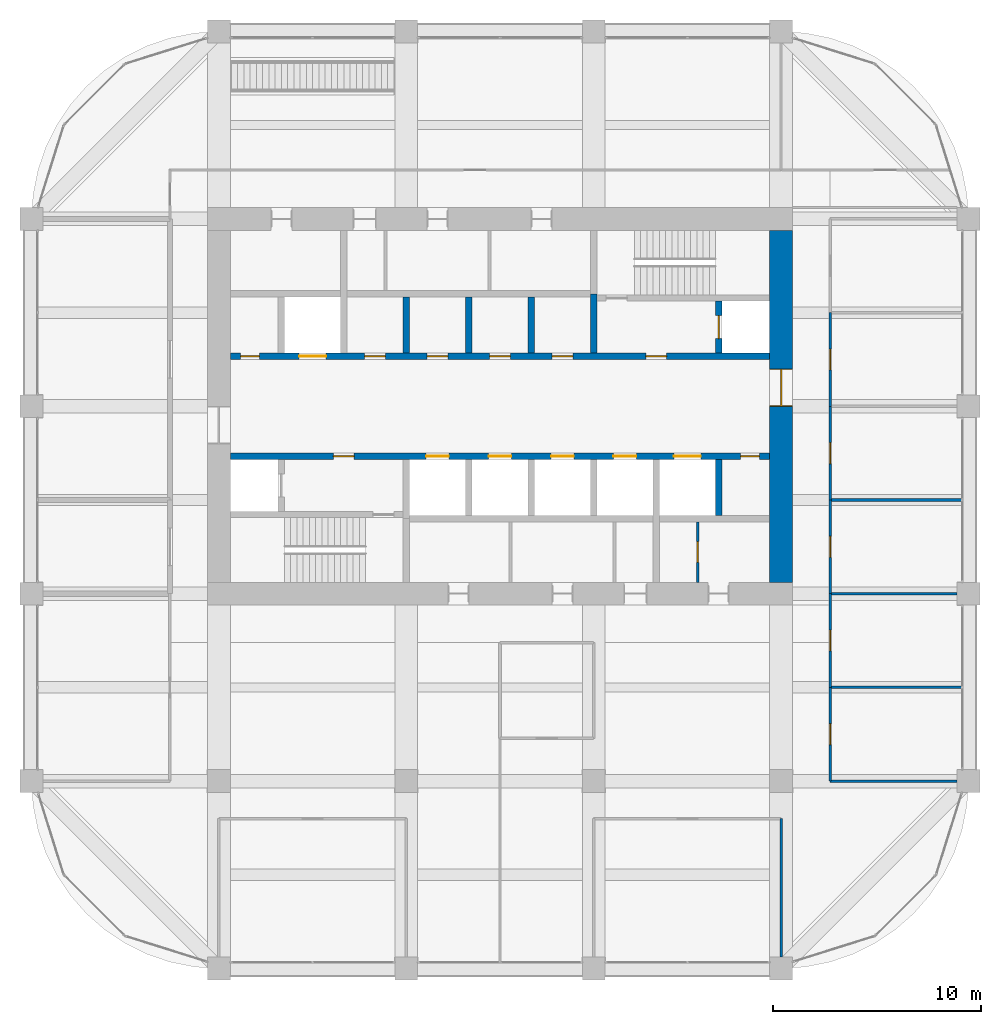
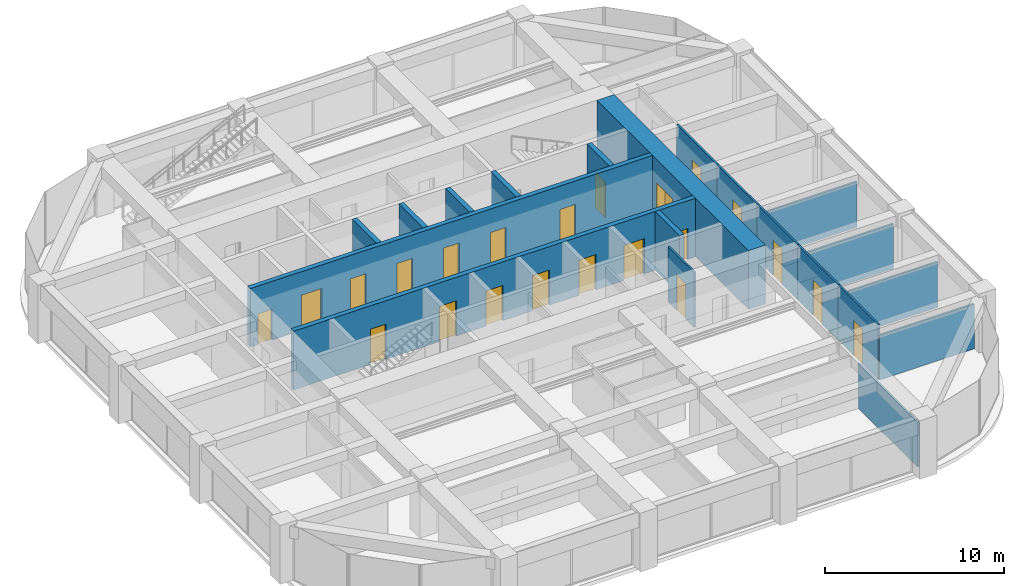
# One storey, part 42 of 44: 22 doors, 20 walls, 22 openings.
"""IFC4 building model written with IfcOpenShell, lengths in metres."""

import ifcopenshell
import ifcopenshell.guid

model = None  # the IFC model being written
_history = None  # IfcOwnerHistory: only IFC2X3 demands one
_inside = {}  # id of a spatial element -> (the spatial element, [elements in it])
_under = {}  # id of a project, library or spatial element -> (it, [spatial elements below it])
_declared = {}  # id of a project -> (the project, [libraries it declares])
_typed = {}  # id of a type object -> (the type object, [elements of that type])
_made_of = {}  # id of a material, layer set ... -> (it, [elements and type objects made of it])


def new_model(schema):
    """Start an empty IFC model of exactly this schema.

    Asked for "IFC4X3", IfcOpenShell would pick the latest addendum, in which some entities
    have other attributes; the version numbers below select the first issue.
    IFC2X3 requires an IfcOwnerHistory on every rooted entity: one is made here for all.
    """
    global model, _history
    if schema == "IFC4X3":
        model = ifcopenshell.file(schema_version=(4, 3, 0, 0))
    else:
        model = ifcopenshell.file(schema=schema)
    _inside.clear()
    _under.clear()
    _declared.clear()
    _typed.clear()
    _made_of.clear()
    _history = None
    if model.schema == "IFC2X3":
        org = make("IfcOrganization", Name="unknown")
        user = make(
            "IfcPersonAndOrganization",
            ThePerson=make("IfcPerson", FamilyName="unknown"),
            TheOrganization=org,
        )
        app = make(
            "IfcApplication",
            ApplicationDeveloper=org,
            Version="unknown",
            ApplicationFullName="unknown",
            ApplicationIdentifier="unknown",
        )
        _history = make(
            "IfcOwnerHistory",
            OwningUser=user,
            OwningApplication=app,
            ChangeAction="ADDED",
            CreationDate=0,
        )
    return model


def make(cls, **values):
    """One entity of the class cls with the attributes given. An attribute that is None is left unset."""
    return model.create_entity(
        cls, **{name: value for name, value in values.items() if value is not None}
    )


def rooted(cls, **values):
    """An entity with a GlobalId (a new one), such as an element, a storey or a relation."""
    return make(cls, GlobalId=ifcopenshell.guid.new(), OwnerHistory=_history, **values)


def si_unit(unit_type, name, prefix=None):
    """IfcSIUnit, for example si_unit("LENGTHUNIT", "METRE", prefix="MILLI")."""
    return make("IfcSIUnit", UnitType=unit_type, Prefix=prefix, Name=name)


def assignment(units):
    """IfcUnitAssignment: the units of a project."""
    return None if units is None else make("IfcUnitAssignment", Units=units)


def point(xyz):
    """IfcCartesianPoint."""
    return None if xyz is None else make("IfcCartesianPoint", Coordinates=xyz)


def direction(xyz):
    """IfcDirection."""
    return None if xyz is None else make("IfcDirection", DirectionRatios=xyz)


def frame(location, z_axis=None, x_axis=None):
    """IfcAxis2Placement3D, a coordinate frame: its origin and axes. An axis left out is left unset."""
    return make(
        "IfcAxis2Placement3D",
        Location=point(location),
        Axis=direction(z_axis),
        RefDirection=direction(x_axis),
    )


def frame_2d(location, x_axis=None):
    """IfcAxis2Placement2D, a coordinate frame in the plane: its origin and x axis."""
    return make(
        "IfcAxis2Placement2D", Location=point(location), RefDirection=direction(x_axis)
    )


def origin():
    """The frame at (0, 0, 0) with its axes left unset."""
    return frame((0.0, 0.0, 0.0))


def place(relative_to, where):
    """IfcLocalPlacement: puts the frame where relative to a parent placement (None: the world)."""
    return make(
        "IfcLocalPlacement", PlacementRelTo=relative_to, RelativePlacement=where
    )


def context(
    kind, dimensions, precision=None, world=None, true_north=None, identifier=None
):
    """IfcGeometricRepresentationContext, for example the 3D "Model" context."""
    return make(
        "IfcGeometricRepresentationContext",
        ContextIdentifier=identifier,
        ContextType=kind,
        CoordinateSpaceDimension=dimensions,
        Precision=precision,
        WorldCoordinateSystem=world,
        TrueNorth=true_north,
    )


def subcontext(parent, identifier, kind, view, scale=None):
    """IfcGeometricRepresentationSubContext, for example "Body" below "Model"."""
    return make(
        "IfcGeometricRepresentationSubContext",
        ContextIdentifier=identifier,
        ContextType=kind,
        ParentContext=parent,
        TargetScale=scale,
        TargetView=view,
    )


def project(units=None, contexts=None):
    """IfcProject with its units and contexts."""
    return rooted(
        "IfcProject",
        Name="project",
        RepresentationContexts=contexts,
        UnitsInContext=assignment(units),
    )


def spatial(cls, under=None, at=None, **own):
    """A site, building, storey or space (cls), placed at a placement, below another one or the project."""
    s = rooted(cls, ObjectPlacement=at, **own)
    if under is not None:
        _under.setdefault(under.id(), (under, []))[1].append(s)
    return s


def profile(cls, at=None, kind="AREA", **sizes):
    """A parametric profile (cls). Its sizes go by their IFC names, for example OverallWidth=200.0."""
    return make(cls, ProfileType=kind, Position=at, **sizes)


def rectangle(**sizes):
    """IfcRectangleProfileDef."""
    return profile("IfcRectangleProfileDef", **sizes)


def extrude(swept, where, along, depth):
    """IfcExtrudedAreaSolid: the profile swept, set in the frame where, extruded along a direction by depth."""
    return make(
        "IfcExtrudedAreaSolid",
        SweptArea=swept,
        Position=where,
        ExtrudedDirection=direction(along),
        Depth=depth,
    )


def shape(context_of_items, identifier, shape_type, items):
    """IfcShapeRepresentation: the items that make up one representation, for example the "Body"."""
    return make(
        "IfcShapeRepresentation",
        ContextOfItems=context_of_items,
        RepresentationIdentifier=identifier,
        RepresentationType=shape_type,
        Items=items,
    )


def material(Name=None, Category=None):
    """IfcMaterial."""
    return make("IfcMaterial", Name=Name, Category=Category)


def layer(
    of_material, thickness, ventilated=None, Name=None, Category=None, Priority=None
):
    """IfcMaterialLayer: one layer of a wall or slab, of a material (None: an air gap)."""
    return make(
        "IfcMaterialLayer",
        Material=of_material,
        LayerThickness=thickness,
        IsVentilated=ventilated,
        Name=Name,
        Category=Category,
        Priority=Priority,
    )


def layer_set(layers, Name=None):
    """IfcMaterialLayerSet."""
    return make("IfcMaterialLayerSet", MaterialLayers=layers, LayerSetName=Name)


def made_of(thing, what):
    """Note that an element or type object is made of a material, layer set ...; save() writes the relation."""
    if what is not None:
        _made_of.setdefault(what.id(), (what, []))[1].append(thing)
    return thing


def type_object(cls, material=None, **own):
    """A type object (cls), such as IfcWallType, which elements share."""
    return made_of(rooted(cls, **own), material)


def element(
    cls,
    number,
    at=None,
    inside=None,
    cuts=None,
    type_object=None,
    material=None,
    context=None,
    identifier="Body",
    shape_type=None,
    held_by="IfcProductDefinitionShape",
    body=None,
    shapes=None,
    **own,
):
    """One element of the class cls, such as IfcWall. Its Tag is "e" and its number.

    at: its placement. inside: the storey or other place that contains it. cuts: it is an
    opening in that element (IfcRelVoidsElement). A single representation is given by context,
    identifier, shape_type and body (its items); several are given by shapes. held_by: the class
    of the entity that holds the representations. save() writes the other relations.
    """
    e = rooted(cls, Tag="e%d" % number, ObjectPlacement=at, **own)
    if body is not None:
        shapes = [shape(context, identifier, shape_type, body)]
    if shapes is not None:
        e.Representation = make(held_by, Representations=shapes)
    if inside is not None:
        _inside.setdefault(inside.id(), (inside, []))[1].append(e)
    if cuts is not None:
        rooted(
            "IfcRelVoidsElement", RelatingBuildingElement=cuts, RelatedOpeningElement=e
        )
    if type_object is not None:
        _typed.setdefault(type_object.id(), (type_object, []))[1].append(e)
    return made_of(e, material)


def fill(opening, filler):
    """IfcRelFillsElement: the door or window that sits in an opening."""
    return rooted(
        "IfcRelFillsElement",
        RelatingOpeningElement=opening,
        RelatedBuildingElement=filler,
    )


def aggregate(whole, parts):
    """IfcRelAggregates: a whole, such as a stair, and the parts it consists of."""
    return rooted("IfcRelAggregates", RelatingObject=whole, RelatedObjects=parts)


def save(model, path):
    """Write the relations noted so far, then the file.

    IfcRelAggregates (storeys below a building ...), IfcRelContainedInSpatialStructure (elements
    in a storey), IfcRelDefinesByType, IfcRelAssociatesMaterial and IfcRelDeclares: one each for
    every whole, place, type object, material and project.
    """
    for whole, parts in _under.values():
        aggregate(whole, parts)
    for where, things in _inside.values():
        rooted(
            "IfcRelContainedInSpatialStructure",
            RelatedElements=things,
            RelatingStructure=where,
        )
    for kind, things in _typed.values():
        rooted("IfcRelDefinesByType", RelatedObjects=things, RelatingType=kind)
    for what, things in _made_of.values():
        rooted("IfcRelAssociatesMaterial", RelatedObjects=things, RelatingMaterial=what)
    for by, libraries in _declared.values():
        rooted("IfcRelDeclares", RelatingContext=by, RelatedDefinitions=libraries)
    model.write(path)


model = new_model("IFC4")

# Units and contexts
model_context = context("Model", 3, precision=1e-05, world=origin(), true_north=direction((0.0, 1.0)))
body_context = subcontext(model_context, "Body", "Model", "MODEL_VIEW")
ifc_project = project(units=[si_unit("LENGTHUNIT", "METRE"), si_unit("AREAUNIT", "SQUARE_METRE"), si_unit("VOLUMEUNIT", "CUBIC_METRE"), si_unit("PLANEANGLEUNIT", "RADIAN"), si_unit("MASSUNIT", "GRAM", prefix="KILO")], contexts=[model_context])

# Site, building, storey
site_placement = place(None, origin())
site = spatial("IfcSite", under=ifc_project, at=site_placement, CompositionType="ELEMENT")
building_placement = place(site_placement, origin())
building = spatial("IfcBuilding", under=site, at=building_placement, Name="Zorevar Civic Tower", CompositionType="ELEMENT")
storey_placement = place(building_placement, frame((0.0, 0.0, 271.39990234375)))
storey = spatial("IfcBuildingStorey", under=building, at=storey_placement, Name="L66", CompositionType="ELEMENT", Elevation=271.39990234375)

# Wall, opening, door
ifc_material_1 = material(Name="Concrete C50/60", Category="concrete")
ifc_layer_1 = layer(ifc_material_1, 1.10009765625)
ifc_layer_set_1 = layer_set([ifc_layer_1], Name="Core wall 1100")
wall_type_1 = type_object("IfcWallType", Name="Core wall 1100", PredefinedType="SHEAR", material=ifc_layer_set_1)
wall_1_placement = place(storey_placement, frame((45.0, 18.550048828125, 0.0), z_axis=(0.0, 0.0, 1.0), x_axis=(0.0, 1.0, 0.0)))
wall_1 = element("IfcWall", 1, at=wall_1_placement, inside=storey, type_object=wall_type_1, Name="Core wall E L66", PredefinedType="SHEAR", context=body_context, shape_type="SweptSolid", body=[
    extrude(rectangle(XDim=16.89990234375, YDim=1.10009765625, at=frame_2d((8.449951171875, 0.0))), origin(), (0.0, 0.0, 1.0), 4.0),
])
opening_1_placement = place(wall_1_placement, frame((8.449951171875, 0.0, 0.0)))
opening_1 = element("IfcOpeningElement", 2, at=opening_1_placement, cuts=wall_1, Name="Opening L66.02", PredefinedType="OPENING", context=body_context, shape_type="SweptSolid", body=[
    extrude(rectangle(XDim=1.800048828125, YDim=2.39990234375, at=frame_2d((0.89990234375, 1.199951171875))), frame((0.0, 0.56005859375, 0.0), z_axis=(0.0, -1.0, 0.0), x_axis=(1.0, 0.0, 0.0)), (0.0, 0.0, 1.0), 1.1201171875),
])
ifc_material_2 = material(Name="Steel door set", Category="steel")
door_type_1 = type_object("IfcDoorType", Name="Fire door FD2 1800x2400", OperationType="DOUBLE_DOOR_DOUBLE_SWING", PredefinedType="DOOR", material=ifc_material_2)
door_1_placement = place(opening_1_placement, origin())
door_1 = element("IfcDoor", 3, at=door_1_placement, inside=storey, type_object=door_type_1, Name="Door L66 01", OperationType="DOUBLE_DOOR_DOUBLE_SWING", OverallHeight=2.39990234375, OverallWidth=1.800048828125, PredefinedType="DOOR", context=body_context, shape_type="SweptSolid", body=[
    extrude(rectangle(XDim=1.800048828125, YDim=2.39990234375, at=frame_2d((0.89990234375, 1.199951171875))), frame((0.0, 0.030029296875, 0.0), z_axis=(0.0, -1.0, 0.0), x_axis=(1.0, 0.0, 0.0)), (0.0, 0.0, 1.0), 0.06005859375),
    extrude(rectangle(XDim=0.04, YDim=2.39990234375, at=frame_2d((0.02001953125, 1.199951171875))), frame((0.0, 0.5498046875, 0.0), z_axis=(0.0, -1.0, 0.0), x_axis=(1.0, 0.0, 0.0)), (0.0, 0.0, 1.0), 1.099609375),
    extrude(rectangle(XDim=0.04, YDim=2.39990234375, at=frame_2d((1.780029296875, 1.199951171875))), frame((0.0, 0.5498046875, 0.0), z_axis=(0.0, -1.0, 0.0), x_axis=(1.0, 0.0, 0.0)), (0.0, 0.0, 1.0), 1.099609375),
    extrude(rectangle(XDim=1.800048828125, YDim=0.04, at=frame_2d((0.89990234375, 2.3798828125))), frame((0.0, 0.5498046875, 0.0), z_axis=(0.0, -1.0, 0.0), x_axis=(1.0, 0.0, 0.0)), (0.0, 0.0, 1.0), 1.099609375),
])
fill(opening_1, door_1)

ifc_material_3 = material(Name="Concrete C40/50", Category="concrete")
ifc_layer_2 = layer(ifc_material_3, 0.300048828125)
ifc_layer_set_2 = layer_set([ifc_layer_2], Name="Inner core wall 300")
wall_type_2 = type_object("IfcWallType", Name="Inner core wall 300", PredefinedType="SHEAR", material=ifc_layer_set_2)
wall_2_placement = place(storey_placement, frame((42.0, 29.550048828125, 0.0), z_axis=(0.0, 0.0, 1.0), x_axis=(0.0, 1.0, 0.0)))
wall_2 = element("IfcWall", 4, at=wall_2_placement, inside=storey, type_object=wall_type_2, Name="Inner core wall N02 L66", PredefinedType="SHEAR", context=body_context, shape_type="SweptSolid", body=[
    extrude(rectangle(XDim=2.5, YDim=0.300048828125, at=frame_2d((1.25, 0.0))), origin(), (0.0, 0.0, 1.0), 4.0),
])
opening_2_placement = place(wall_2_placement, frame((0.699951171875, 0.0, 0.0)))
opening_2 = element("IfcOpeningElement", 5, at=opening_2_placement, cuts=wall_2, Name="Opening L66.FL2", PredefinedType="OPENING", context=body_context, shape_type="SweptSolid", body=[
    extrude(rectangle(XDim=1.10009765625, YDim=2.39990234375, at=frame_2d((0.550048828125, 1.199951171875))), frame((0.0, 0.159912109375, 0.0), z_axis=(0.0, -1.0, 0.0), x_axis=(1.0, 0.0, 0.0)), (0.0, 0.0, 1.0), 0.320068359375),
])
ifc_material_4 = material(Name="Steel door set", Category="steel")
door_type_2 = type_object("IfcDoorType", Name="Firefighting lift landing door LD3 1100x2400", OperationType="DOUBLE_DOOR_SLIDING", PredefinedType="DOOR", material=ifc_material_4)
door_2_placement = place(opening_2_placement, origin())
door_2 = element("IfcDoor", 6, at=door_2_placement, inside=storey, type_object=door_type_2, Name="Landing door FL2 L66", OperationType="DOUBLE_DOOR_SLIDING", OverallHeight=2.39990234375, OverallWidth=1.10009765625, PredefinedType="DOOR", context=body_context, shape_type="SweptSolid", body=[
    extrude(rectangle(XDim=1.10009765625, YDim=2.39990234375, at=frame_2d((0.550048828125, 1.199951171875))), frame((0.0, 0.030029296875, 0.0), z_axis=(0.0, -1.0, 0.0), x_axis=(1.0, 0.0, 0.0)), (0.0, 0.0, 1.0), 0.06005859375),
])
fill(opening_2, door_2)

# Wall, openings, doors
wall_3_placement = place(storey_placement, frame((18.550048828125, 24.60009765625, 0.0), z_axis=(0.0, 0.0, 1.0), x_axis=(1.0, 0.0, 0.0)))
wall_3 = element("IfcWall", 7, at=wall_3_placement, inside=storey, type_object=wall_type_2, Name="Inner core wall S03 L66", PredefinedType="SHEAR", context=body_context, shape_type="SweptSolid", body=[
    extrude(rectangle(XDim=25.89990234375, YDim=0.300048828125, at=frame_2d((12.949951171875, 0.0))), origin(), (0.0, 0.0, 1.0), 4.0),
])
opening_3_placement = place(wall_3_placement, frame((4.949951171875, 0.0, 0.0)))
opening_3 = element("IfcOpeningElement", 8, at=opening_3_placement, cuts=wall_3, Name="Opening L66.13", PredefinedType="OPENING", context=body_context, shape_type="SweptSolid", body=[
    extrude(rectangle(XDim=1.0, YDim=2.39990234375, at=frame_2d((0.5, 1.199951171875))), frame((0.0, 0.159912109375, 0.0), z_axis=(0.0, -1.0, 0.0), x_axis=(1.0, 0.0, 0.0)), (0.0, 0.0, 1.0), 0.320068359375),
])
opening_4_placement = place(wall_3_placement, frame((24.5, 0.0, 0.0)))
opening_4 = element("IfcOpeningElement", 9, at=opening_4_placement, cuts=wall_3, Name="Opening L66.15", PredefinedType="OPENING", context=body_context, shape_type="SweptSolid", body=[
    extrude(rectangle(XDim=0.89990234375, YDim=2.10009765625, at=frame_2d((0.449951171875, 1.050048828125))), frame((0.0, 0.159912109375, 0.0), z_axis=(0.0, -1.0, 0.0), x_axis=(1.0, 0.0, 0.0)), (0.0, 0.0, 1.0), 0.320068359375),
])
opening_5_placement = place(wall_3_placement, frame((9.39990234375, 0.0, 0.0)))
opening_5 = element("IfcOpeningElement", 10, at=opening_5_placement, cuts=wall_3, Name="Opening L66.LT1", PredefinedType="OPENING", context=body_context, shape_type="SweptSolid", body=[
    extrude(rectangle(XDim=1.10009765625, YDim=2.39990234375, at=frame_2d((0.550048828125, 1.199951171875))), frame((0.0, 0.159912109375, 0.0), z_axis=(0.0, -1.0, 0.0), x_axis=(1.0, 0.0, 0.0)), (0.0, 0.0, 1.0), 0.320068359375),
])
opening_6_placement = place(wall_3_placement, frame((12.39990234375, 0.0, 0.0)))
opening_6 = element("IfcOpeningElement", 11, at=opening_6_placement, cuts=wall_3, Name="Opening L66.LT2", PredefinedType="OPENING", context=body_context, shape_type="SweptSolid", body=[
    extrude(rectangle(XDim=1.10009765625, YDim=2.39990234375, at=frame_2d((0.550048828125, 1.199951171875))), frame((0.0, 0.159912109375, 0.0), z_axis=(0.0, -1.0, 0.0), x_axis=(1.0, 0.0, 0.0)), (0.0, 0.0, 1.0), 0.320068359375),
])
opening_7_placement = place(wall_3_placement, frame((15.39990234375, 0.0, 0.0)))
opening_7 = element("IfcOpeningElement", 12, at=opening_7_placement, cuts=wall_3, Name="Opening L66.LT3", PredefinedType="OPENING", context=body_context, shape_type="SweptSolid", body=[
    extrude(rectangle(XDim=1.10009765625, YDim=2.39990234375, at=frame_2d((0.550048828125, 1.199951171875))), frame((0.0, 0.159912109375, 0.0), z_axis=(0.0, -1.0, 0.0), x_axis=(1.0, 0.0, 0.0)), (0.0, 0.0, 1.0), 0.320068359375),
])
opening_8_placement = place(wall_3_placement, frame((18.39990234375, 0.0, 0.0)))
opening_8 = element("IfcOpeningElement", 13, at=opening_8_placement, cuts=wall_3, Name="Opening L66.LT4", PredefinedType="OPENING", context=body_context, shape_type="SweptSolid", body=[
    extrude(rectangle(XDim=1.10009765625, YDim=2.39990234375, at=frame_2d((0.550048828125, 1.199951171875))), frame((0.0, 0.159912109375, 0.0), z_axis=(0.0, -1.0, 0.0), x_axis=(1.0, 0.0, 0.0)), (0.0, 0.0, 1.0), 0.320068359375),
])
opening_9_placement = place(wall_3_placement, frame((21.300048828125, 0.0, 0.0)))
opening_9 = element("IfcOpeningElement", 14, at=opening_9_placement, cuts=wall_3, Name="Opening L66.SL1", PredefinedType="OPENING", context=body_context, shape_type="SweptSolid", body=[
    extrude(rectangle(XDim=1.300048828125, YDim=2.39990234375, at=frame_2d((0.64990234375, 1.199951171875))), frame((0.0, 0.159912109375, 0.0), z_axis=(0.0, -1.0, 0.0), x_axis=(1.0, 0.0, 0.0)), (0.0, 0.0, 1.0), 0.320068359375),
])
ifc_material_5 = material(Name="Steel door set", Category="steel")
door_type_3 = type_object("IfcDoorType", Name="Fire door FD1 1000x2400", OperationType="SINGLE_SWING_LEFT", PredefinedType="DOOR", material=ifc_material_5)
door_3_placement = place(opening_3_placement, origin())
door_3 = element("IfcDoor", 15, at=door_3_placement, inside=storey, type_object=door_type_3, Name="Door L66 12", OperationType="SINGLE_SWING_RIGHT", OverallHeight=2.39990234375, OverallWidth=1.0, PredefinedType="DOOR", context=body_context, shape_type="SweptSolid", body=[
    extrude(rectangle(XDim=1.0, YDim=2.39990234375, at=frame_2d((0.5, 1.199951171875))), frame((0.0, 0.030029296875, 0.0), z_axis=(0.0, -1.0, 0.0), x_axis=(1.0, 0.0, 0.0)), (0.0, 0.0, 1.0), 0.06005859375),
])
fill(opening_3, door_3)
ifc_material_6 = material(Name="Steel door set", Category="steel")
door_type_4 = type_object("IfcDoorType", Name="Landing door LD1 1100x2400", OperationType="DOUBLE_DOOR_SLIDING", PredefinedType="DOOR", material=ifc_material_6)
door_4_placement = place(opening_5_placement, origin())
door_4 = element("IfcDoor", 16, at=door_4_placement, inside=storey, type_object=door_type_4, Name="Landing door LT1 L66", OperationType="DOUBLE_DOOR_SLIDING", OverallHeight=2.39990234375, OverallWidth=1.10009765625, PredefinedType="DOOR", context=body_context, shape_type="SweptSolid", body=[
    extrude(rectangle(XDim=1.10009765625, YDim=2.39990234375, at=frame_2d((0.550048828125, 1.199951171875))), frame((0.0, 0.02001953125, 0.0), z_axis=(0.0, -1.0, 0.0), x_axis=(1.0, 0.0, 0.0)), (0.0, 0.0, 1.0), 0.0400390625),
])
fill(opening_5, door_4)
door_5_placement = place(opening_6_placement, origin())
door_5 = element("IfcDoor", 17, at=door_5_placement, inside=storey, type_object=door_type_4, Name="Landing door LT2 L66", OperationType="DOUBLE_DOOR_SLIDING", OverallHeight=2.39990234375, OverallWidth=1.10009765625, PredefinedType="DOOR", context=body_context, shape_type="SweptSolid", body=[
    extrude(rectangle(XDim=1.10009765625, YDim=2.39990234375, at=frame_2d((0.550048828125, 1.199951171875))), frame((0.0, 0.02001953125, 0.0), z_axis=(0.0, -1.0, 0.0), x_axis=(1.0, 0.0, 0.0)), (0.0, 0.0, 1.0), 0.0400390625),
])
fill(opening_6, door_5)
door_6_placement = place(opening_7_placement, origin())
door_6 = element("IfcDoor", 18, at=door_6_placement, inside=storey, type_object=door_type_4, Name="Landing door LT3 L66", OperationType="DOUBLE_DOOR_SLIDING", OverallHeight=2.39990234375, OverallWidth=1.10009765625, PredefinedType="DOOR", context=body_context, shape_type="SweptSolid", body=[
    extrude(rectangle(XDim=1.10009765625, YDim=2.39990234375, at=frame_2d((0.550048828125, 1.199951171875))), frame((0.0, 0.02001953125, 0.0), z_axis=(0.0, -1.0, 0.0), x_axis=(1.0, 0.0, 0.0)), (0.0, 0.0, 1.0), 0.0400390625),
])
fill(opening_7, door_6)
door_7_placement = place(opening_8_placement, origin())
door_7 = element("IfcDoor", 19, at=door_7_placement, inside=storey, type_object=door_type_4, Name="Landing door LT4 L66", OperationType="DOUBLE_DOOR_SLIDING", OverallHeight=2.39990234375, OverallWidth=1.10009765625, PredefinedType="DOOR", context=body_context, shape_type="SweptSolid", body=[
    extrude(rectangle(XDim=1.10009765625, YDim=2.39990234375, at=frame_2d((0.550048828125, 1.199951171875))), frame((0.0, 0.02001953125, 0.0), z_axis=(0.0, -1.0, 0.0), x_axis=(1.0, 0.0, 0.0)), (0.0, 0.0, 1.0), 0.0400390625),
])
fill(opening_8, door_7)
ifc_material_7 = material(Name="Steel door set", Category="steel")
door_type_5 = type_object("IfcDoorType", Name="Landing door LD2 1300x2400", OperationType="DOUBLE_DOOR_SLIDING", PredefinedType="DOOR", material=ifc_material_7)
door_8_placement = place(opening_9_placement, origin())
door_8 = element("IfcDoor", 20, at=door_8_placement, inside=storey, type_object=door_type_5, Name="Landing door SL1 L66", OperationType="DOUBLE_DOOR_SLIDING", OverallHeight=2.39990234375, OverallWidth=1.300048828125, PredefinedType="DOOR", context=body_context, shape_type="SweptSolid", body=[
    extrude(rectangle(XDim=1.300048828125, YDim=2.39990234375, at=frame_2d((0.64990234375, 1.199951171875))), frame((0.0, 0.02001953125, 0.0), z_axis=(0.0, -1.0, 0.0), x_axis=(1.0, 0.0, 0.0)), (0.0, 0.0, 1.0), 0.0400390625),
])
fill(opening_9, door_8)
ifc_material_8 = material(Name="Steel door set", Category="steel")
door_type_6 = type_object("IfcDoorType", Name="Riser door RD1 900x2100", OperationType="SINGLE_SWING_LEFT", PredefinedType="DOOR", material=ifc_material_8)
door_9_placement = place(opening_4_placement, origin())
door_9 = element("IfcDoor", 21, at=door_9_placement, inside=storey, type_object=door_type_6, Name="Door L66 14", OperationType="SINGLE_SWING_RIGHT", OverallHeight=2.10009765625, OverallWidth=0.89990234375, PredefinedType="DOOR", context=body_context, shape_type="SweptSolid", body=[
    extrude(rectangle(XDim=0.89990234375, YDim=2.10009765625, at=frame_2d((0.449951171875, 1.050048828125))), frame((0.0, 0.030029296875, 0.0), z_axis=(0.0, -1.0, 0.0), x_axis=(1.0, 0.0, 0.0)), (0.0, 0.0, 1.0), 0.06005859375),
])
fill(opening_4, door_9)

wall_4_placement = place(storey_placement, frame((18.550048828125, 29.39990234375, 0.0), z_axis=(0.0, 0.0, 1.0), x_axis=(1.0, 0.0, 0.0)))
wall_4 = element("IfcWall", 22, at=wall_4_placement, inside=storey, type_object=wall_type_2, Name="Inner core wall N03 L66", PredefinedType="SHEAR", context=body_context, shape_type="SweptSolid", body=[
    extrude(rectangle(XDim=25.89990234375, YDim=0.300048828125, at=frame_2d((12.949951171875, 0.0))), origin(), (0.0, 0.0, 1.0), 4.0),
])
opening_10_placement = place(wall_4_placement, frame((19.949951171875, 0.0, 0.0)))
opening_10 = element("IfcOpeningElement", 23, at=opening_10_placement, cuts=wall_4, Name="Opening L66.14", PredefinedType="OPENING", context=body_context, shape_type="SweptSolid", body=[
    extrude(rectangle(XDim=1.0, YDim=2.39990234375, at=frame_2d((0.5, 1.199951171875))), frame((0.0, 0.159912109375, 0.0), z_axis=(0.0, -1.0, 0.0), x_axis=(1.0, 0.0, 0.0)), (0.0, 0.0, 1.0), 0.320068359375),
])
opening_11_placement = place(wall_4_placement, frame((0.5, 0.0, 0.0)))
opening_11 = element("IfcOpeningElement", 24, at=opening_11_placement, cuts=wall_4, Name="Opening L66.16", PredefinedType="OPENING", context=body_context, shape_type="SweptSolid", body=[
    extrude(rectangle(XDim=0.89990234375, YDim=2.10009765625, at=frame_2d((0.449951171875, 1.050048828125))), frame((0.0, 0.159912109375, 0.0), z_axis=(0.0, -1.0, 0.0), x_axis=(1.0, 0.0, 0.0)), (0.0, 0.0, 1.0), 0.320068359375),
])
opening_12_placement = place(wall_4_placement, frame((15.449951171875, 0.0, 0.0)))
opening_12 = element("IfcOpeningElement", 25, at=opening_12_placement, cuts=wall_4, Name="Opening L66.33", PredefinedType="OPENING", context=body_context, shape_type="SweptSolid", body=[
    extrude(rectangle(XDim=1.0, YDim=2.39990234375, at=frame_2d((0.5, 1.199951171875))), frame((0.0, 0.159912109375, 0.0), z_axis=(0.0, -1.0, 0.0), x_axis=(1.0, 0.0, 0.0)), (0.0, 0.0, 1.0), 0.320068359375),
])
opening_13_placement = place(wall_4_placement, frame((12.449951171875, 0.0, 0.0)))
opening_13 = element("IfcOpeningElement", 26, at=opening_13_placement, cuts=wall_4, Name="Opening L66.34", PredefinedType="OPENING", context=body_context, shape_type="SweptSolid", body=[
    extrude(rectangle(XDim=1.0, YDim=2.39990234375, at=frame_2d((0.5, 1.199951171875))), frame((0.0, 0.159912109375, 0.0), z_axis=(0.0, -1.0, 0.0), x_axis=(1.0, 0.0, 0.0)), (0.0, 0.0, 1.0), 0.320068359375),
])
opening_14_placement = place(wall_4_placement, frame((9.449951171875, 0.0, 0.0)))
opening_14 = element("IfcOpeningElement", 27, at=opening_14_placement, cuts=wall_4, Name="Opening L66.35", PredefinedType="OPENING", context=body_context, shape_type="SweptSolid", body=[
    extrude(rectangle(XDim=1.0, YDim=2.39990234375, at=frame_2d((0.5, 1.199951171875))), frame((0.0, 0.159912109375, 0.0), z_axis=(0.0, -1.0, 0.0), x_axis=(1.0, 0.0, 0.0)), (0.0, 0.0, 1.0), 0.320068359375),
])
opening_15_placement = place(wall_4_placement, frame((6.449951171875, 0.0, 0.0)))
opening_15 = element("IfcOpeningElement", 28, at=opening_15_placement, cuts=wall_4, Name="Opening L66.36", PredefinedType="OPENING", context=body_context, shape_type="SweptSolid", body=[
    extrude(rectangle(XDim=1.0, YDim=2.39990234375, at=frame_2d((0.5, 1.199951171875))), frame((0.0, 0.159912109375, 0.0), z_axis=(0.0, -1.0, 0.0), x_axis=(1.0, 0.0, 0.0)), (0.0, 0.0, 1.0), 0.320068359375),
])
opening_16_placement = place(wall_4_placement, frame((3.300048828125, 0.0, 0.0)))
opening_16 = element("IfcOpeningElement", 29, at=opening_16_placement, cuts=wall_4, Name="Opening L66.SL2", PredefinedType="OPENING", context=body_context, shape_type="SweptSolid", body=[
    extrude(rectangle(XDim=1.300048828125, YDim=2.39990234375, at=frame_2d((0.64990234375, 1.199951171875))), frame((0.0, 0.159912109375, 0.0), z_axis=(0.0, -1.0, 0.0), x_axis=(1.0, 0.0, 0.0)), (0.0, 0.0, 1.0), 0.320068359375),
])
door_10_placement = place(opening_10_placement, origin())
door_10 = element("IfcDoor", 30, at=door_10_placement, inside=storey, type_object=door_type_3, Name="Door L66 13", OperationType="SINGLE_SWING_RIGHT", OverallHeight=2.39990234375, OverallWidth=1.0, PredefinedType="DOOR", context=body_context, shape_type="SweptSolid", body=[
    extrude(rectangle(XDim=1.0, YDim=2.39990234375, at=frame_2d((0.5, 1.199951171875))), frame((0.0, 0.030029296875, 0.0), z_axis=(0.0, -1.0, 0.0), x_axis=(1.0, 0.0, 0.0)), (0.0, 0.0, 1.0), 0.06005859375),
])
fill(opening_10, door_10)
door_11_placement = place(opening_12_placement, origin())
door_11 = element("IfcDoor", 31, at=door_11_placement, inside=storey, type_object=door_type_3, Name="Door L66 LM1 shaft room", OperationType="SINGLE_SWING_LEFT", OverallHeight=2.39990234375, OverallWidth=1.0, PredefinedType="DOOR", context=body_context, shape_type="SweptSolid", body=[
    extrude(rectangle(XDim=1.0, YDim=2.39990234375, at=frame_2d((0.5, 1.199951171875))), frame((0.0, 0.030029296875, 0.0), z_axis=(0.0, -1.0, 0.0), x_axis=(1.0, 0.0, 0.0)), (0.0, 0.0, 1.0), 0.06005859375),
])
fill(opening_12, door_11)
door_12_placement = place(opening_13_placement, origin())
door_12 = element("IfcDoor", 32, at=door_12_placement, inside=storey, type_object=door_type_3, Name="Door L66 LM2 shaft room", OperationType="SINGLE_SWING_LEFT", OverallHeight=2.39990234375, OverallWidth=1.0, PredefinedType="DOOR", context=body_context, shape_type="SweptSolid", body=[
    extrude(rectangle(XDim=1.0, YDim=2.39990234375, at=frame_2d((0.5, 1.199951171875))), frame((0.0, 0.030029296875, 0.0), z_axis=(0.0, -1.0, 0.0), x_axis=(1.0, 0.0, 0.0)), (0.0, 0.0, 1.0), 0.06005859375),
])
fill(opening_13, door_12)
door_13_placement = place(opening_14_placement, origin())
door_13 = element("IfcDoor", 33, at=door_13_placement, inside=storey, type_object=door_type_3, Name="Door L66 LH1 shaft room", OperationType="SINGLE_SWING_RIGHT", OverallHeight=2.39990234375, OverallWidth=1.0, PredefinedType="DOOR", context=body_context, shape_type="SweptSolid", body=[
    extrude(rectangle(XDim=1.0, YDim=2.39990234375, at=frame_2d((0.5, 1.199951171875))), frame((0.0, 0.030029296875, 0.0), z_axis=(0.0, -1.0, 0.0), x_axis=(1.0, 0.0, 0.0)), (0.0, 0.0, 1.0), 0.06005859375),
])
fill(opening_14, door_13)
door_14_placement = place(opening_15_placement, origin())
door_14 = element("IfcDoor", 34, at=door_14_placement, inside=storey, type_object=door_type_3, Name="Door L66 LH2 shaft room", OperationType="SINGLE_SWING_RIGHT", OverallHeight=2.39990234375, OverallWidth=1.0, PredefinedType="DOOR", context=body_context, shape_type="SweptSolid", body=[
    extrude(rectangle(XDim=1.0, YDim=2.39990234375, at=frame_2d((0.5, 1.199951171875))), frame((0.0, 0.030029296875, 0.0), z_axis=(0.0, -1.0, 0.0), x_axis=(1.0, 0.0, 0.0)), (0.0, 0.0, 1.0), 0.06005859375),
])
fill(opening_15, door_14)
door_15_placement = place(opening_16_placement, origin())
door_15 = element("IfcDoor", 35, at=door_15_placement, inside=storey, type_object=door_type_5, Name="Landing door SL2 L66", OperationType="DOUBLE_DOOR_SLIDING", OverallHeight=2.39990234375, OverallWidth=1.300048828125, PredefinedType="DOOR", context=body_context, shape_type="SweptSolid", body=[
    extrude(rectangle(XDim=1.300048828125, YDim=2.39990234375, at=frame_2d((0.64990234375, 1.199951171875))), frame((0.0, 0.02001953125, 0.0), z_axis=(0.0, -1.0, 0.0), x_axis=(1.0, 0.0, 0.0)), (0.0, 0.0, 1.0), 0.0400390625),
])
fill(opening_16, door_15)
door_16_placement = place(opening_11_placement, origin())
door_16 = element("IfcDoor", 36, at=door_16_placement, inside=storey, type_object=door_type_6, Name="Door L66 15", OperationType="SINGLE_SWING_RIGHT", OverallHeight=2.10009765625, OverallWidth=0.89990234375, PredefinedType="DOOR", context=body_context, shape_type="SweptSolid", body=[
    extrude(rectangle(XDim=0.89990234375, YDim=2.10009765625, at=frame_2d((0.449951171875, 1.050048828125))), frame((0.0, 0.030029296875, 0.0), z_axis=(0.0, -1.0, 0.0), x_axis=(1.0, 0.0, 0.0)), (0.0, 0.0, 1.0), 0.06005859375),
])
fill(opening_11, door_16)

# Walls
for number, where, z_axis, x_axis, name in (
    (37, (33.0, 29.550048828125, 0.0), (0.0, 0.0, 1.0), (0.0, 1.0, 0.0), "Inner core wall N05 L66"),
    (38, (30.0, 29.550048828125, 0.0), (0.0, 0.0, 1.0), (0.0, 1.0, 0.0), "Inner core wall N06 L66"),
    (39, (27.0, 29.550048828125, 0.0), (0.0, 0.0, 1.0), (0.0, 1.0, 0.0), "Inner core wall N07 L66"),
    (40, (42.0, 21.75, 0.0), (0.0, 0.0, 1.0), (0.0, 1.0, 0.0), "Inner core wall S09 L66"),
):
    element("IfcWall", number, at=place(storey_placement, frame(where, z_axis=z_axis, x_axis=x_axis)), inside=storey, type_object=wall_type_2, Name=name, PredefinedType="SHEAR", context=body_context, shape_type="SweptSolid", body=[
        extrude(rectangle(XDim=2.699951171875, YDim=0.300048828125, at=frame_2d((1.35009765625, 0.0))), origin(), (0.0, 0.0, 1.0), 4.0),
    ])
wall_5_placement = place(storey_placement, frame((36.0, 29.550048828125, 0.0), z_axis=(0.0, 0.0, 1.0), x_axis=(0.0, 1.0, 0.0)))
element("IfcWall", 41, at=wall_5_placement, inside=storey, type_object=wall_type_2, Name="Inner core wall N10 L66", PredefinedType="SHEAR", context=body_context, shape_type="SweptSolid", body=[
    extrude(rectangle(XDim=2.849853515625, YDim=0.300048828125, at=frame_2d((1.4248046875, 0.0))), origin(), (0.0, 0.0, 1.0), 4.0),
])
ifc_material_9 = material(Name="Gypsum board on steel studs", Category="steel")
ifc_layer_3 = layer(ifc_material_9, 0.1201171875)
ifc_layer_set_3 = layer_set([ifc_layer_3], Name="Partition 120")
wall_type_3 = type_object("IfcWallType", Name="Partition 120", PredefinedType="PARTITIONING", material=ifc_layer_set_3)
wall_6_placement = place(storey_placement, frame((47.35009765625, 9.0, 0.0), z_axis=(0.0, 0.0, 1.0), x_axis=(1.0, 0.0, 0.0)))
element("IfcWall", 42, at=wall_6_placement, inside=storey, type_object=wall_type_3, Name="Partition 120 L66", PredefinedType="PARTITIONING", context=body_context, shape_type="SweptSolid", body=[
    extrude(rectangle(XDim=6.099853515625, YDim=0.1201171875, at=frame_2d((3.0498046875, 0.0))), origin(), (0.0, 0.0, 1.0), 3.050048828125),
])
wall_7_placement = place(storey_placement, frame((47.35009765625, 13.5, 0.0), z_axis=(0.0, 0.0, 1.0), x_axis=(1.0, 0.0, 0.0)))
element("IfcWall", 43, at=wall_7_placement, inside=storey, type_object=wall_type_3, Name="Partition 120 L66", PredefinedType="PARTITIONING", context=body_context, shape_type="SweptSolid", body=[
    extrude(rectangle(XDim=6.33984375, YDim=0.1201171875, at=frame_2d((3.169921875, 0.0))), origin(), (0.0, 0.0, 1.0), 3.10009765625),
])
wall_8_placement = place(storey_placement, frame((47.35009765625, 18.0, 0.0), z_axis=(0.0, 0.0, 1.0), x_axis=(1.0, 0.0, 0.0)))
element("IfcWall", 44, at=wall_8_placement, inside=storey, type_object=wall_type_3, Name="Partition 120 L66", PredefinedType="PARTITIONING", context=body_context, shape_type="SweptSolid", body=[
    extrude(rectangle(XDim=6.099853515625, YDim=0.1201171875, at=frame_2d((3.0498046875, 0.0))), origin(), (0.0, 0.0, 1.0), 3.050048828125),
])
wall_9_placement = place(storey_placement, frame((47.35009765625, 22.5, 0.0), z_axis=(0.0, 0.0, 1.0), x_axis=(1.0, 0.0, 0.0)))
element("IfcWall", 45, at=wall_9_placement, inside=storey, type_object=wall_type_3, Name="Partition 120 L66", PredefinedType="PARTITIONING", context=body_context, shape_type="SweptSolid", body=[
    extrude(rectangle(XDim=6.33984375, YDim=0.1201171875, at=frame_2d((3.169921875, 0.0))), origin(), (0.0, 0.0, 1.0), 3.10009765625),
])
wall_10_placement = place(storey_placement, frame((45.0, 0.550048828125, 0.0), z_axis=(0.0, 0.0, 1.0), x_axis=(0.0, 1.0, 0.0)))
element("IfcWall", 46, at=wall_10_placement, inside=storey, type_object=wall_type_3, Name="Partition 120 L66", PredefinedType="PARTITIONING", context=body_context, shape_type="SweptSolid", body=[
    extrude(rectangle(XDim=6.64990234375, YDim=0.1201171875, at=frame_2d((3.324951171875, 0.0))), origin(), (0.0, 0.0, 1.0), 3.050048828125),
])

# Wall, opening, door
wall_11_placement = place(storey_placement, frame((47.35009765625, 9.0, 0.0), z_axis=(0.0, 0.0, 1.0), x_axis=(0.0, 1.0, 0.0)))
wall_11 = element("IfcWall", 47, at=wall_11_placement, inside=storey, type_object=wall_type_3, Name="Partition 120 L66", PredefinedType="PARTITIONING", context=body_context, shape_type="SweptSolid", body=[
    extrude(rectangle(XDim=4.5, YDim=0.1201171875, at=frame_2d((2.25, 0.0))), origin(), (0.0, 0.0, 1.0), 3.75),
])
opening_17_placement = place(wall_11_placement, frame((1.75, 0.0, 0.0)))
opening_17 = element("IfcOpeningElement", 48, at=opening_17_placement, cuts=wall_11, Name="Opening L66.26", PredefinedType="OPENING", context=body_context, shape_type="SweptSolid", body=[
    extrude(rectangle(XDim=1.0, YDim=2.39990234375, at=frame_2d((0.5, 1.199951171875))), frame((0.0, 0.070068359375, 0.0), z_axis=(0.0, -1.0, 0.0), x_axis=(1.0, 0.0, 0.0)), (0.0, 0.0, 1.0), 0.14013671875),
])
ifc_material_10 = material(Name="Timber door set", Category="wood")
door_type_7 = type_object("IfcDoorType", Name="Door D1 1000x2400", OperationType="SINGLE_SWING_LEFT", PredefinedType="DOOR", material=ifc_material_10)
door_17_placement = place(opening_17_placement, origin())
door_17 = element("IfcDoor", 49, at=door_17_placement, inside=storey, type_object=door_type_7, Name="Door L66 D1", OperationType="SINGLE_SWING_LEFT", OverallHeight=2.39990234375, OverallWidth=1.0, PredefinedType="DOOR", context=body_context, shape_type="SweptSolid", body=[
    extrude(rectangle(XDim=1.0, YDim=2.39990234375, at=frame_2d((0.5, 1.199951171875))), frame((0.0, 0.02490234375, 0.0), z_axis=(0.0, -1.0, 0.0), x_axis=(1.0, 0.0, 0.0)), (0.0, 0.0, 1.0), 0.050048828125),
])
fill(opening_17, door_17)

wall_12_placement = place(storey_placement, frame((47.35009765625, 13.5, 0.0), z_axis=(0.0, 0.0, 1.0), x_axis=(0.0, 1.0, 0.0)))
wall_12 = element("IfcWall", 50, at=wall_12_placement, inside=storey, type_object=wall_type_3, Name="Partition 120 L66", PredefinedType="PARTITIONING", context=body_context, shape_type="SweptSolid", body=[
    extrude(rectangle(XDim=4.5, YDim=0.1201171875, at=frame_2d((2.25, 0.0))), origin(), (0.0, 0.0, 1.0), 3.75),
])
opening_18_placement = place(wall_12_placement, frame((1.75, 0.0, 0.0)))
opening_18 = element("IfcOpeningElement", 51, at=opening_18_placement, cuts=wall_12, Name="Opening L66.27", PredefinedType="OPENING", context=body_context, shape_type="SweptSolid", body=[
    extrude(rectangle(XDim=1.0, YDim=2.39990234375, at=frame_2d((0.5, 1.199951171875))), frame((0.0, 0.070068359375, 0.0), z_axis=(0.0, -1.0, 0.0), x_axis=(1.0, 0.0, 0.0)), (0.0, 0.0, 1.0), 0.14013671875),
])
door_18_placement = place(opening_18_placement, origin())
door_18 = element("IfcDoor", 52, at=door_18_placement, inside=storey, type_object=door_type_7, Name="Door L66 D1", OperationType="SINGLE_SWING_RIGHT", OverallHeight=2.39990234375, OverallWidth=1.0, PredefinedType="DOOR", context=body_context, shape_type="SweptSolid", body=[
    extrude(rectangle(XDim=1.0, YDim=2.39990234375, at=frame_2d((0.5, 1.199951171875))), frame((0.0, 0.02490234375, 0.0), z_axis=(0.0, -1.0, 0.0), x_axis=(1.0, 0.0, 0.0)), (0.0, 0.0, 1.0), 0.050048828125),
])
fill(opening_18, door_18)

wall_13_placement = place(storey_placement, frame((47.35009765625, 18.0, 0.0), z_axis=(0.0, 0.0, 1.0), x_axis=(0.0, 1.0, 0.0)))
wall_13 = element("IfcWall", 53, at=wall_13_placement, inside=storey, type_object=wall_type_3, Name="Partition 120 L66", PredefinedType="PARTITIONING", context=body_context, shape_type="SweptSolid", body=[
    extrude(rectangle(XDim=4.5, YDim=0.1201171875, at=frame_2d((2.25, 0.0))), origin(), (0.0, 0.0, 1.0), 3.75),
])
opening_19_placement = place(wall_13_placement, frame((1.75, 0.0, 0.0)))
opening_19 = element("IfcOpeningElement", 54, at=opening_19_placement, cuts=wall_13, Name="Opening L66.28", PredefinedType="OPENING", context=body_context, shape_type="SweptSolid", body=[
    extrude(rectangle(XDim=1.0, YDim=2.39990234375, at=frame_2d((0.5, 1.199951171875))), frame((0.0, 0.070068359375, 0.0), z_axis=(0.0, -1.0, 0.0), x_axis=(1.0, 0.0, 0.0)), (0.0, 0.0, 1.0), 0.14013671875),
])
door_19_placement = place(opening_19_placement, origin())
door_19 = element("IfcDoor", 55, at=door_19_placement, inside=storey, type_object=door_type_7, Name="Door L66 D1", OperationType="SINGLE_SWING_RIGHT", OverallHeight=2.39990234375, OverallWidth=1.0, PredefinedType="DOOR", context=body_context, shape_type="SweptSolid", body=[
    extrude(rectangle(XDim=1.0, YDim=2.39990234375, at=frame_2d((0.5, 1.199951171875))), frame((0.0, 0.02490234375, 0.0), z_axis=(0.0, -1.0, 0.0), x_axis=(1.0, 0.0, 0.0)), (0.0, 0.0, 1.0), 0.050048828125),
])
fill(opening_19, door_19)

wall_14_placement = place(storey_placement, frame((47.35009765625, 22.5, 0.0), z_axis=(0.0, 0.0, 1.0), x_axis=(0.0, 1.0, 0.0)))
wall_14 = element("IfcWall", 56, at=wall_14_placement, inside=storey, type_object=wall_type_3, Name="Partition 120 L66", PredefinedType="PARTITIONING", context=body_context, shape_type="SweptSolid", body=[
    extrude(rectangle(XDim=4.5, YDim=0.1201171875, at=frame_2d((2.25, 0.0))), origin(), (0.0, 0.0, 1.0), 3.75),
])
opening_20_placement = place(wall_14_placement, frame((1.75, 0.0, 0.0)))
opening_20 = element("IfcOpeningElement", 57, at=opening_20_placement, cuts=wall_14, Name="Opening L66.29", PredefinedType="OPENING", context=body_context, shape_type="SweptSolid", body=[
    extrude(rectangle(XDim=1.0, YDim=2.39990234375, at=frame_2d((0.5, 1.199951171875))), frame((0.0, 0.070068359375, 0.0), z_axis=(0.0, -1.0, 0.0), x_axis=(1.0, 0.0, 0.0)), (0.0, 0.0, 1.0), 0.14013671875),
])
door_20_placement = place(opening_20_placement, origin())
door_20 = element("IfcDoor", 58, at=door_20_placement, inside=storey, type_object=door_type_7, Name="Door L66 D1", OperationType="SINGLE_SWING_RIGHT", OverallHeight=2.39990234375, OverallWidth=1.0, PredefinedType="DOOR", context=body_context, shape_type="SweptSolid", body=[
    extrude(rectangle(XDim=1.0, YDim=2.39990234375, at=frame_2d((0.5, 1.199951171875))), frame((0.0, 0.02490234375, 0.0), z_axis=(0.0, -1.0, 0.0), x_axis=(1.0, 0.0, 0.0)), (0.0, 0.0, 1.0), 0.050048828125),
])
fill(opening_20, door_20)

wall_15_placement = place(storey_placement, frame((47.35009765625, 27.0, 0.0), z_axis=(0.0, 0.0, 1.0), x_axis=(0.0, 1.0, 0.0)))
wall_15 = element("IfcWall", 59, at=wall_15_placement, inside=storey, type_object=wall_type_3, Name="Partition 120 L66", PredefinedType="PARTITIONING", context=body_context, shape_type="SweptSolid", body=[
    extrude(rectangle(XDim=4.5, YDim=0.1201171875, at=frame_2d((2.25, 0.0))), origin(), (0.0, 0.0, 1.0), 3.75),
])
opening_21_placement = place(wall_15_placement, frame((1.75, 0.0, 0.0)))
opening_21 = element("IfcOpeningElement", 60, at=opening_21_placement, cuts=wall_15, Name="Opening L66.30", PredefinedType="OPENING", context=body_context, shape_type="SweptSolid", body=[
    extrude(rectangle(XDim=1.0, YDim=2.39990234375, at=frame_2d((0.5, 1.199951171875))), frame((0.0, 0.070068359375, 0.0), z_axis=(0.0, -1.0, 0.0), x_axis=(1.0, 0.0, 0.0)), (0.0, 0.0, 1.0), 0.14013671875),
])
door_21_placement = place(opening_21_placement, origin())
door_21 = element("IfcDoor", 61, at=door_21_placement, inside=storey, type_object=door_type_7, Name="Door L66 D1", OperationType="SINGLE_SWING_LEFT", OverallHeight=2.39990234375, OverallWidth=1.0, PredefinedType="DOOR", context=body_context, shape_type="SweptSolid", body=[
    extrude(rectangle(XDim=1.0, YDim=2.39990234375, at=frame_2d((0.5, 1.199951171875))), frame((0.0, 0.02490234375, 0.0), z_axis=(0.0, -1.0, 0.0), x_axis=(1.0, 0.0, 0.0)), (0.0, 0.0, 1.0), 0.050048828125),
])
fill(opening_21, door_21)

wall_16_placement = place(storey_placement, frame((41.0, 18.550048828125, 0.0), z_axis=(0.0, 0.0, 1.0), x_axis=(0.0, 1.0, 0.0)))
wall_16 = element("IfcWall", 62, at=wall_16_placement, inside=storey, type_object=wall_type_3, Name="Partition L66", PredefinedType="PARTITIONING", context=body_context, shape_type="SweptSolid", body=[
    extrude(rectangle(XDim=2.89990234375, YDim=0.1201171875, at=frame_2d((1.449951171875, 0.0))), origin(), (0.0, 0.0, 1.0), 3.75),
])
opening_22_placement = place(wall_16_placement, frame((0.949951171875, 0.0, 0.0)))
opening_22 = element("IfcOpeningElement", 63, at=opening_22_placement, cuts=wall_16, Name="Opening L66.32", PredefinedType="OPENING", context=body_context, shape_type="SweptSolid", body=[
    extrude(rectangle(XDim=1.0, YDim=2.39990234375, at=frame_2d((0.5, 1.199951171875))), frame((0.0, 0.070068359375, 0.0), z_axis=(0.0, -1.0, 0.0), x_axis=(1.0, 0.0, 0.0)), (0.0, 0.0, 1.0), 0.14013671875),
])
door_22_placement = place(opening_22_placement, origin())
door_22 = element("IfcDoor", 64, at=door_22_placement, inside=storey, type_object=door_type_3, Name="Door L66 ES", OperationType="SINGLE_SWING_LEFT", OverallHeight=2.39990234375, OverallWidth=1.0, PredefinedType="DOOR", context=body_context, shape_type="SweptSolid", body=[
    extrude(rectangle(XDim=1.0, YDim=2.39990234375, at=frame_2d((0.5, 1.199951171875))), frame((0.0, 0.030029296875, 0.0), z_axis=(0.0, -1.0, 0.0), x_axis=(1.0, 0.0, 0.0)), (0.0, 0.0, 1.0), 0.06005859375),
])
fill(opening_22, door_22)

save(model, "model.ifc")
